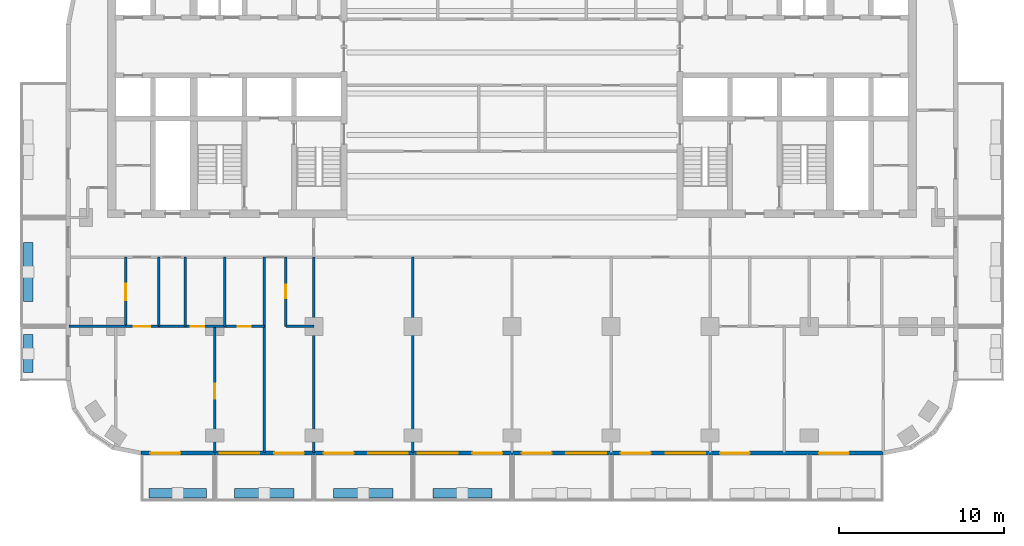
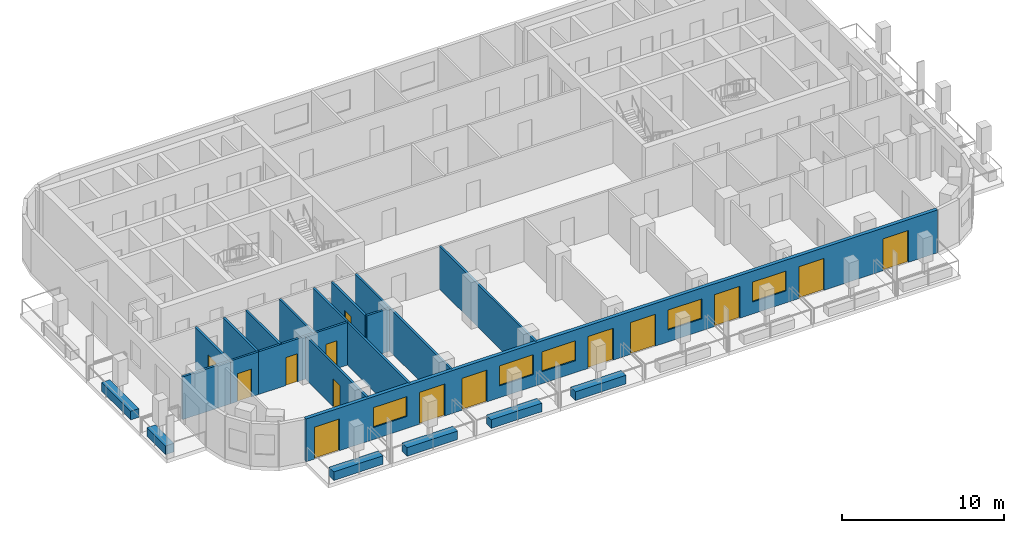
# One storey, part 2 of 11: 20 walls, 14 doors, 5 windows, 19 openings.
"""IFC4 building model written with IfcOpenShell, lengths in metres."""

from ifc_helpers import new_model, si_unit, direction, frame, frame_2d, origin, place, context, subcontext, project, spatial, rectangle, extrude, material, layer, layer_set, type_object, element, fill, save


model = new_model("IFC4")

# Units and contexts
model_context = context("Model", 3, precision=1e-05, world=origin(), true_north=direction((0.0, 1.0)))
body_context = subcontext(model_context, "Body", "Model", "MODEL_VIEW")
ifc_project = project(units=[si_unit("LENGTHUNIT", "METRE"), si_unit("AREAUNIT", "SQUARE_METRE"), si_unit("VOLUMEUNIT", "CUBIC_METRE"), si_unit("PLANEANGLEUNIT", "RADIAN"), si_unit("MASSUNIT", "GRAM", prefix="KILO")], contexts=[model_context])

# Site, building, storey
site_placement = place(None, origin())
site = spatial("IfcSite", under=ifc_project, at=site_placement, CompositionType="ELEMENT")
building_placement = place(site_placement, origin())
building = spatial("IfcBuilding", under=site, at=building_placement, Name="Torana Hotel and Residences", CompositionType="ELEMENT")
storey_placement = place(building_placement, frame((0.0, 0.0, 239.60009765625)))
storey = spatial("IfcBuildingStorey", under=building, at=storey_placement, Name="L63", CompositionType="ELEMENT", Elevation=239.60009765625)

# Wall, openings, doors, windows
ifc_material_1 = material(Name="Black aluminium composite panel", Category="aluminium")
ifc_layer_1 = layer(ifc_material_1, 0.00390625, Name="Cladding", Category="cladding")
ifc_material_2 = material(Name="Ventilated air cavity")
ifc_layer_2 = layer(ifc_material_2, 0.0400390625, Name="Ventilated cavity", Category="cavity")
ifc_material_3 = material(Name="Mineral wool insulation")
ifc_layer_3 = layer(ifc_material_3, 0.090087890625, Name="Insulation", Category="insulation")
ifc_material_4 = material(Name="Steel S280GD", Category="steel")
ifc_layer_4 = layer(ifc_material_4, 0.092041015625, Name="Steel stud frame", Category="structure")
ifc_material_5 = material(Name="Fire rated plasterboard")
ifc_layer_5 = layer(ifc_material_5, 0.011962890625, Name="Inner board", Category="finish")
ifc_layer_6 = layer(ifc_material_5, 0.011962890625, Name="Second board", Category="finish")
ifc_layer_set_1 = layer_set([ifc_layer_1, ifc_layer_2, ifc_layer_3, ifc_layer_4, ifc_layer_5, ifc_layer_6], Name="EW1 EXTERNAL WALL BLACK METAL CLAD 250")
wall_type_1 = type_object("IfcWallType", Name="EW1 EXTERNAL WALL BLACK METAL CLAD 250", PredefinedType="SOLIDWALL", material=ifc_layer_set_1)
wall_1_placement = place(storey_placement, frame((-22.475341796875, -29.27490234375, 0.0), z_axis=(0.0, 0.0, 1.0), x_axis=(1.0, 0.0, 0.0)))
wall_1 = element("IfcWall", 1, at=wall_1_placement, inside=storey, type_object=wall_type_1, Name="External wall L63 e0.14", PredefinedType="SOLIDWALL", context=body_context, shape_type="SweptSolid", body=[
    extrude(rectangle(XDim=44.95068359375, YDim=0.25, at=frame_2d((22.475341796875, 0.0))), origin(), (0.0, 0.0, 1.0), 3.219970703125),
])
opening_1_placement = place(wall_1_placement, frame((0.575439453125, 0.0, 0.0)))
opening_1 = element("IfcOpeningElement", 2, at=opening_1_placement, cuts=wall_1, Name="Opening L63-E01", PredefinedType="OPENING", context=body_context, shape_type="SweptSolid", body=[
    extrude(rectangle(XDim=1.800048828125, YDim=2.39990234375, at=frame_2d((0.89990234375, 1.199951171875))), frame((0.0, 0.135009765625, 0.0), z_axis=(0.0, -1.0, 0.0), x_axis=(1.0, 0.0, 0.0)), (0.0, 0.0, 1.0), 0.27001953125),
])
opening_2_placement = place(wall_1_placement, frame((4.775390625, 0.0, 0.89990234375)))
opening_2 = element("IfcOpeningElement", 3, at=opening_2_placement, cuts=wall_1, Name="Opening W3", PredefinedType="OPENING", context=body_context, shape_type="SweptSolid", body=[
    extrude(rectangle(XDim=2.39990234375, YDim=1.5, at=frame_2d((1.199951171875, 0.75))), frame((0.0, 0.135009765625, 0.0), z_axis=(0.0, -1.0, 0.0), x_axis=(1.0, 0.0, 0.0)), (0.0, 0.0, 1.0), 0.27001953125),
])
opening_3_placement = place(wall_1_placement, frame((8.075439453125, 0.0, 0.0)))
opening_3 = element("IfcOpeningElement", 4, at=opening_3_placement, cuts=wall_1, Name="Opening L63-E02", PredefinedType="OPENING", context=body_context, shape_type="SweptSolid", body=[
    extrude(rectangle(XDim=1.800048828125, YDim=2.39990234375, at=frame_2d((0.89990234375, 1.199951171875))), frame((0.0, 0.135009765625, 0.0), z_axis=(0.0, -1.0, 0.0), x_axis=(1.0, 0.0, 0.0)), (0.0, 0.0, 1.0), 0.27001953125),
])
opening_4_placement = place(wall_1_placement, frame((11.075439453125, 0.0, 0.0)))
opening_4 = element("IfcOpeningElement", 5, at=opening_4_placement, cuts=wall_1, Name="Opening L63-E03", PredefinedType="OPENING", context=body_context, shape_type="SweptSolid", body=[
    extrude(rectangle(XDim=1.800048828125, YDim=2.39990234375, at=frame_2d((0.89990234375, 1.199951171875))), frame((0.0, 0.135009765625, 0.0), z_axis=(0.0, -1.0, 0.0), x_axis=(1.0, 0.0, 0.0)), (0.0, 0.0, 1.0), 0.27001953125),
])
opening_5_placement = place(wall_1_placement, frame((13.775390625, 0.0, 0.89990234375)))
opening_5 = element("IfcOpeningElement", 6, at=opening_5_placement, cuts=wall_1, Name="Opening W3", PredefinedType="OPENING", context=body_context, shape_type="SweptSolid", body=[
    extrude(rectangle(XDim=2.39990234375, YDim=1.5, at=frame_2d((1.199951171875, 0.75))), frame((0.0, 0.135009765625, 0.0), z_axis=(0.0, -1.0, 0.0), x_axis=(1.0, 0.0, 0.0)), (0.0, 0.0, 1.0), 0.27001953125),
])
opening_6_placement = place(wall_1_placement, frame((16.775390625, 0.0, 0.89990234375)))
opening_6 = element("IfcOpeningElement", 7, at=opening_6_placement, cuts=wall_1, Name="Opening W3", PredefinedType="OPENING", context=body_context, shape_type="SweptSolid", body=[
    extrude(rectangle(XDim=2.39990234375, YDim=1.5, at=frame_2d((1.199951171875, 0.75))), frame((0.0, 0.135009765625, 0.0), z_axis=(0.0, -1.0, 0.0), x_axis=(1.0, 0.0, 0.0)), (0.0, 0.0, 1.0), 0.27001953125),
])
opening_7_placement = place(wall_1_placement, frame((20.075439453125, 0.0, 0.0)))
opening_7 = element("IfcOpeningElement", 8, at=opening_7_placement, cuts=wall_1, Name="Opening L63-E04", PredefinedType="OPENING", context=body_context, shape_type="SweptSolid", body=[
    extrude(rectangle(XDim=1.800048828125, YDim=2.39990234375, at=frame_2d((0.89990234375, 1.199951171875))), frame((0.0, 0.135009765625, 0.0), z_axis=(0.0, -1.0, 0.0), x_axis=(1.0, 0.0, 0.0)), (0.0, 0.0, 1.0), 0.27001953125),
])
opening_8_placement = place(wall_1_placement, frame((23.075439453125, 0.0, 0.0)))
opening_8 = element("IfcOpeningElement", 9, at=opening_8_placement, cuts=wall_1, Name="Opening L63-E05", PredefinedType="OPENING", context=body_context, shape_type="SweptSolid", body=[
    extrude(rectangle(XDim=1.800048828125, YDim=2.39990234375, at=frame_2d((0.89990234375, 1.199951171875))), frame((0.0, 0.135009765625, 0.0), z_axis=(0.0, -1.0, 0.0), x_axis=(1.0, 0.0, 0.0)), (0.0, 0.0, 1.0), 0.27001953125),
])
opening_9_placement = place(wall_1_placement, frame((25.775390625, 0.0, 0.89990234375)))
opening_9 = element("IfcOpeningElement", 10, at=opening_9_placement, cuts=wall_1, Name="Opening W3", PredefinedType="OPENING", context=body_context, shape_type="SweptSolid", body=[
    extrude(rectangle(XDim=2.39990234375, YDim=1.5, at=frame_2d((1.199951171875, 0.75))), frame((0.0, 0.135009765625, 0.0), z_axis=(0.0, -1.0, 0.0), x_axis=(1.0, 0.0, 0.0)), (0.0, 0.0, 1.0), 0.27001953125),
])
opening_10_placement = place(wall_1_placement, frame((29.075439453125, 0.0, 0.0)))
opening_10 = element("IfcOpeningElement", 11, at=opening_10_placement, cuts=wall_1, Name="Opening L63-E06", PredefinedType="OPENING", context=body_context, shape_type="SweptSolid", body=[
    extrude(rectangle(XDim=1.800048828125, YDim=2.39990234375, at=frame_2d((0.89990234375, 1.199951171875))), frame((0.0, 0.135009765625, 0.0), z_axis=(0.0, -1.0, 0.0), x_axis=(1.0, 0.0, 0.0)), (0.0, 0.0, 1.0), 0.27001953125),
])
opening_11_placement = place(wall_1_placement, frame((31.775390625, 0.0, 0.89990234375)))
opening_11 = element("IfcOpeningElement", 12, at=opening_11_placement, cuts=wall_1, Name="Opening W3", PredefinedType="OPENING", context=body_context, shape_type="SweptSolid", body=[
    extrude(rectangle(XDim=2.39990234375, YDim=1.5, at=frame_2d((1.199951171875, 0.75))), frame((0.0, 0.135009765625, 0.0), z_axis=(0.0, -1.0, 0.0), x_axis=(1.0, 0.0, 0.0)), (0.0, 0.0, 1.0), 0.27001953125),
])
opening_12_placement = place(wall_1_placement, frame((35.075439453125, 0.0, 0.0)))
opening_12 = element("IfcOpeningElement", 13, at=opening_12_placement, cuts=wall_1, Name="Opening L63-E07", PredefinedType="OPENING", context=body_context, shape_type="SweptSolid", body=[
    extrude(rectangle(XDim=1.800048828125, YDim=2.39990234375, at=frame_2d((0.89990234375, 1.199951171875))), frame((0.0, 0.135009765625, 0.0), z_axis=(0.0, -1.0, 0.0), x_axis=(1.0, 0.0, 0.0)), (0.0, 0.0, 1.0), 0.27001953125),
])
opening_13_placement = place(wall_1_placement, frame((41.075439453125, 0.0, 0.0)))
opening_13 = element("IfcOpeningElement", 14, at=opening_13_placement, cuts=wall_1, Name="Opening L63-E08", PredefinedType="OPENING", context=body_context, shape_type="SweptSolid", body=[
    extrude(rectangle(XDim=1.800048828125, YDim=2.39990234375, at=frame_2d((0.89990234375, 1.199951171875))), frame((0.0, 0.135009765625, 0.0), z_axis=(0.0, -1.0, 0.0), x_axis=(1.0, 0.0, 0.0)), (0.0, 0.0, 1.0), 0.27001953125),
])
ifc_material_6 = material(Name="Dark glass in black aluminium frame", Category="aluminium")
door_type_1 = type_object("IfcDoorType", Name="DB1 BALCONY DOOR 1800x2400", OperationType="DOUBLE_DOOR_SINGLE_SWING", PredefinedType="DOOR", material=ifc_material_6)
door_1_placement = place(opening_1_placement, origin())
door_1 = element("IfcDoor", 15, at=door_1_placement, inside=storey, type_object=door_type_1, Name="Balcony door L63", OperationType="DOUBLE_DOOR_SINGLE_SWING", OverallHeight=2.39990234375, OverallWidth=1.800048828125, PredefinedType="DOOR", context=body_context, shape_type="SweptSolid", body=[
    extrude(rectangle(XDim=1.800048828125, YDim=2.39990234375, at=frame_2d((0.89990234375, 1.199951171875))), frame((0.0, 0.02490234375, 0.0), z_axis=(0.0, -1.0, 0.0), x_axis=(1.0, 0.0, 0.0)), (0.0, 0.0, 1.0), 0.050048828125),
])
fill(opening_1, door_1)
door_2_placement = place(opening_3_placement, origin())
door_2 = element("IfcDoor", 16, at=door_2_placement, inside=storey, type_object=door_type_1, Name="Balcony door L63", OperationType="DOUBLE_DOOR_SINGLE_SWING", OverallHeight=2.39990234375, OverallWidth=1.800048828125, PredefinedType="DOOR", context=body_context, shape_type="SweptSolid", body=[
    extrude(rectangle(XDim=1.800048828125, YDim=2.39990234375, at=frame_2d((0.89990234375, 1.199951171875))), frame((0.0, 0.02490234375, 0.0), z_axis=(0.0, -1.0, 0.0), x_axis=(1.0, 0.0, 0.0)), (0.0, 0.0, 1.0), 0.050048828125),
])
fill(opening_3, door_2)
door_3_placement = place(opening_4_placement, origin())
door_3 = element("IfcDoor", 17, at=door_3_placement, inside=storey, type_object=door_type_1, Name="Balcony door L63", OperationType="DOUBLE_DOOR_SINGLE_SWING", OverallHeight=2.39990234375, OverallWidth=1.800048828125, PredefinedType="DOOR", context=body_context, shape_type="SweptSolid", body=[
    extrude(rectangle(XDim=1.800048828125, YDim=2.39990234375, at=frame_2d((0.89990234375, 1.199951171875))), frame((0.0, 0.02490234375, 0.0), z_axis=(0.0, -1.0, 0.0), x_axis=(1.0, 0.0, 0.0)), (0.0, 0.0, 1.0), 0.050048828125),
])
fill(opening_4, door_3)
door_4_placement = place(opening_7_placement, origin())
door_4 = element("IfcDoor", 18, at=door_4_placement, inside=storey, type_object=door_type_1, Name="Balcony door L63", OperationType="DOUBLE_DOOR_SINGLE_SWING", OverallHeight=2.39990234375, OverallWidth=1.800048828125, PredefinedType="DOOR", context=body_context, shape_type="SweptSolid", body=[
    extrude(rectangle(XDim=1.800048828125, YDim=2.39990234375, at=frame_2d((0.89990234375, 1.199951171875))), frame((0.0, 0.02490234375, 0.0), z_axis=(0.0, -1.0, 0.0), x_axis=(1.0, 0.0, 0.0)), (0.0, 0.0, 1.0), 0.050048828125),
])
fill(opening_7, door_4)
door_5_placement = place(opening_8_placement, origin())
door_5 = element("IfcDoor", 19, at=door_5_placement, inside=storey, type_object=door_type_1, Name="Balcony door L63", OperationType="DOUBLE_DOOR_SINGLE_SWING", OverallHeight=2.39990234375, OverallWidth=1.800048828125, PredefinedType="DOOR", context=body_context, shape_type="SweptSolid", body=[
    extrude(rectangle(XDim=1.800048828125, YDim=2.39990234375, at=frame_2d((0.89990234375, 1.199951171875))), frame((0.0, 0.02490234375, 0.0), z_axis=(0.0, -1.0, 0.0), x_axis=(1.0, 0.0, 0.0)), (0.0, 0.0, 1.0), 0.050048828125),
])
fill(opening_8, door_5)
door_6_placement = place(opening_10_placement, origin())
door_6 = element("IfcDoor", 20, at=door_6_placement, inside=storey, type_object=door_type_1, Name="Balcony door L63", OperationType="DOUBLE_DOOR_SINGLE_SWING", OverallHeight=2.39990234375, OverallWidth=1.800048828125, PredefinedType="DOOR", context=body_context, shape_type="SweptSolid", body=[
    extrude(rectangle(XDim=1.800048828125, YDim=2.39990234375, at=frame_2d((0.89990234375, 1.199951171875))), frame((0.0, 0.02490234375, 0.0), z_axis=(0.0, -1.0, 0.0), x_axis=(1.0, 0.0, 0.0)), (0.0, 0.0, 1.0), 0.050048828125),
])
fill(opening_10, door_6)
door_7_placement = place(opening_12_placement, origin())
door_7 = element("IfcDoor", 21, at=door_7_placement, inside=storey, type_object=door_type_1, Name="Balcony door L63", OperationType="DOUBLE_DOOR_SINGLE_SWING", OverallHeight=2.39990234375, OverallWidth=1.800048828125, PredefinedType="DOOR", context=body_context, shape_type="SweptSolid", body=[
    extrude(rectangle(XDim=1.800048828125, YDim=2.39990234375, at=frame_2d((0.89990234375, 1.199951171875))), frame((0.0, 0.02490234375, 0.0), z_axis=(0.0, -1.0, 0.0), x_axis=(1.0, 0.0, 0.0)), (0.0, 0.0, 1.0), 0.050048828125),
])
fill(opening_12, door_7)
door_8_placement = place(opening_13_placement, origin())
door_8 = element("IfcDoor", 22, at=door_8_placement, inside=storey, type_object=door_type_1, Name="Balcony door L63", OperationType="DOUBLE_DOOR_SINGLE_SWING", OverallHeight=2.39990234375, OverallWidth=1.800048828125, PredefinedType="DOOR", context=body_context, shape_type="SweptSolid", body=[
    extrude(rectangle(XDim=1.800048828125, YDim=2.39990234375, at=frame_2d((0.89990234375, 1.199951171875))), frame((0.0, 0.02490234375, 0.0), z_axis=(0.0, -1.0, 0.0), x_axis=(1.0, 0.0, 0.0)), (0.0, 0.0, 1.0), 0.050048828125),
])
fill(opening_13, door_8)
ifc_material_7 = material(Name="Dark glass in black aluminium frame", Category="aluminium")
window_type = type_object("IfcWindowType", Name="W3 RESIDENCE WINDOW 2400x1500", PartitioningType="SINGLE_PANEL", PredefinedType="WINDOW", material=ifc_material_7)
window_1_placement = place(opening_2_placement, origin())
window_1 = element("IfcWindow", 23, at=window_1_placement, inside=storey, type_object=window_type, Name="Window L63", OverallHeight=1.5, OverallWidth=2.39990234375, PartitioningType="SINGLE_PANEL", PredefinedType="WINDOW", context=body_context, shape_type="SweptSolid", body=[
    extrude(rectangle(XDim=2.39990234375, YDim=1.5, at=frame_2d((1.199951171875, 0.75))), frame((0.0, 0.030029296875, 0.0), z_axis=(0.0, -1.0, 0.0), x_axis=(1.0, 0.0, 0.0)), (0.0, 0.0, 1.0), 0.06005859375),
])
fill(opening_2, window_1)
window_2_placement = place(opening_5_placement, origin())
window_2 = element("IfcWindow", 24, at=window_2_placement, inside=storey, type_object=window_type, Name="Window L63", OverallHeight=1.5, OverallWidth=2.39990234375, PartitioningType="SINGLE_PANEL", PredefinedType="WINDOW", context=body_context, shape_type="SweptSolid", body=[
    extrude(rectangle(XDim=2.39990234375, YDim=1.5, at=frame_2d((1.199951171875, 0.75))), frame((0.0, 0.030029296875, 0.0), z_axis=(0.0, -1.0, 0.0), x_axis=(1.0, 0.0, 0.0)), (0.0, 0.0, 1.0), 0.06005859375),
])
fill(opening_5, window_2)
window_3_placement = place(opening_6_placement, origin())
window_3 = element("IfcWindow", 25, at=window_3_placement, inside=storey, type_object=window_type, Name="Window L63", OverallHeight=1.5, OverallWidth=2.39990234375, PartitioningType="SINGLE_PANEL", PredefinedType="WINDOW", context=body_context, shape_type="SweptSolid", body=[
    extrude(rectangle(XDim=2.39990234375, YDim=1.5, at=frame_2d((1.199951171875, 0.75))), frame((0.0, 0.030029296875, 0.0), z_axis=(0.0, -1.0, 0.0), x_axis=(1.0, 0.0, 0.0)), (0.0, 0.0, 1.0), 0.06005859375),
])
fill(opening_6, window_3)
window_4_placement = place(opening_9_placement, origin())
window_4 = element("IfcWindow", 26, at=window_4_placement, inside=storey, type_object=window_type, Name="Window L63", OverallHeight=1.5, OverallWidth=2.39990234375, PartitioningType="SINGLE_PANEL", PredefinedType="WINDOW", context=body_context, shape_type="SweptSolid", body=[
    extrude(rectangle(XDim=2.39990234375, YDim=1.5, at=frame_2d((1.199951171875, 0.75))), frame((0.0, 0.030029296875, 0.0), z_axis=(0.0, -1.0, 0.0), x_axis=(1.0, 0.0, 0.0)), (0.0, 0.0, 1.0), 0.06005859375),
])
fill(opening_9, window_4)
window_5_placement = place(opening_11_placement, origin())
window_5 = element("IfcWindow", 27, at=window_5_placement, inside=storey, type_object=window_type, Name="Window L63", OverallHeight=1.5, OverallWidth=2.39990234375, PartitioningType="SINGLE_PANEL", PredefinedType="WINDOW", context=body_context, shape_type="SweptSolid", body=[
    extrude(rectangle(XDim=2.39990234375, YDim=1.5, at=frame_2d((1.199951171875, 0.75))), frame((0.0, 0.030029296875, 0.0), z_axis=(0.0, -1.0, 0.0), x_axis=(1.0, 0.0, 0.0)), (0.0, 0.0, 1.0), 0.06005859375),
])
fill(opening_11, window_5)

# Wall
ifc_material_8 = material(Name="Gypsum plaster")
ifc_layer_7 = layer(ifc_material_8, 0.014892578125, Name="Plaster", Category="finish")
ifc_material_9 = material(Name="Concrete blockwork", Category="masonry")
ifc_layer_8 = layer(ifc_material_9, 0.1201171875, Name="Blockwork", Category="structure")
ifc_layer_9 = layer(ifc_material_8, 0.014892578125, Name="Plaster", Category="finish")
ifc_layer_set_2 = layer_set([ifc_layer_7, ifc_layer_8, ifc_layer_9], Name="FIRE PARTITION 150 BLOCKWORK")
wall_type_2 = type_object("IfcWallType", Name="FIRE PARTITION 150 BLOCKWORK", PredefinedType="PARTITIONING", material=ifc_layer_set_2)
wall_2_placement = place(storey_placement, frame((-21.39990234375, -21.60009765625, 0.0), z_axis=(0.0, 0.0, 1.0), x_axis=(0.0, 1.0, 0.0)))
element("IfcWall", 28, at=wall_2_placement, inside=storey, type_object=wall_type_2, Name="Partition L63", PredefinedType="PARTITIONING", context=body_context, shape_type="SweptSolid", body=[
    extrude(rectangle(XDim=4.2001953125, YDim=0.14990234375, at=frame_2d((2.10009765625, 0.0))), origin(), (0.0, 0.0, 1.0), 3.219970703125),
])

# Wall, opening, door
wall_3_placement = place(storey_placement, frame((-23.39990234375, -21.60009765625, 0.0), z_axis=(0.0, 0.0, 1.0), x_axis=(0.0, 1.0, 0.0)))
wall_3 = element("IfcWall", 29, at=wall_3_placement, inside=storey, type_object=wall_type_2, Name="Partition L63", PredefinedType="PARTITIONING", context=body_context, shape_type="SweptSolid", body=[
    extrude(rectangle(XDim=4.2001953125, YDim=0.14990234375, at=frame_2d((2.10009765625, 0.0))), origin(), (0.0, 0.0, 1.0), 3.219970703125),
])
opening_14_placement = place(wall_3_placement, frame((1.580078125, 0.0, 0.0)))
opening_14 = element("IfcOpeningElement", 30, at=opening_14_placement, cuts=wall_3, Name="Opening L63-58", PredefinedType="OPENING", context=body_context, shape_type="SweptSolid", body=[
    extrude(rectangle(XDim=1.0, YDim=2.10009765625, at=frame_2d((0.5, 1.050048828125))), frame((0.0, 0.0849609375, 0.0), z_axis=(0.0, -1.0, 0.0), x_axis=(1.0, 0.0, 0.0)), (0.0, 0.0, 1.0), 0.169921875),
])
ifc_material_10 = material(Name="Steel S235", Category="steel")
door_type_2 = type_object("IfcDoorType", Name="ENTRY FIRE DOOR D6 1000x2100", OperationType="SINGLE_SWING_LEFT", PredefinedType="DOOR", material=ifc_material_10)
door_9_placement = place(opening_14_placement, origin())
door_9 = element("IfcDoor", 31, at=door_9_placement, inside=storey, type_object=door_type_2, Name="Door L63", OperationType="SINGLE_SWING_RIGHT", OverallHeight=2.10009765625, OverallWidth=1.0, PredefinedType="DOOR", context=body_context, shape_type="SweptSolid", body=[
    extrude(rectangle(XDim=1.0, YDim=2.10009765625, at=frame_2d((0.5, 1.050048828125))), frame((0.0, 0.02490234375, 0.0), z_axis=(0.0, -1.0, 0.0), x_axis=(1.0, 0.0, 0.0)), (0.0, 0.0, 1.0), 0.050048828125),
])
fill(opening_14, door_9)

wall_4_placement = place(storey_placement, frame((-23.39990234375, -21.60009765625, 0.0), z_axis=(0.0, 0.0, 1.0), x_axis=(1.0, 0.0, 0.0)))
wall_4 = element("IfcWall", 32, at=wall_4_placement, inside=storey, type_object=wall_type_2, Name="Partition L63", PredefinedType="PARTITIONING", context=body_context, shape_type="SweptSolid", body=[
    extrude(rectangle(XDim=2.0, YDim=0.14990234375, at=frame_2d((1.0, 0.0))), origin(), (0.0, 0.0, 1.0), 3.219970703125),
])
opening_15_placement = place(wall_4_placement, frame((0.47998046875, 0.0, 0.0)))
opening_15 = element("IfcOpeningElement", 33, at=opening_15_placement, cuts=wall_4, Name="Opening L63-59", PredefinedType="OPENING", context=body_context, shape_type="SweptSolid", body=[
    extrude(rectangle(XDim=1.0, YDim=2.10009765625, at=frame_2d((0.5, 1.050048828125))), frame((0.0, 0.0849609375, 0.0), z_axis=(0.0, -1.0, 0.0), x_axis=(1.0, 0.0, 0.0)), (0.0, 0.0, 1.0), 0.169921875),
])
door_10_placement = place(opening_15_placement, frame((0.5, 0.0, 0.0), z_axis=(0.0, 0.0, 1.0), x_axis=(-1.0, 0.0, 0.0)))
door_10 = element("IfcDoor", 34, at=door_10_placement, inside=storey, type_object=door_type_2, Name="Door L63", OperationType="SINGLE_SWING_LEFT", OverallHeight=2.10009765625, OverallWidth=1.0, PredefinedType="DOOR", context=body_context, shape_type="SweptSolid", body=[
    extrude(rectangle(XDim=1.0, YDim=2.10009765625, at=frame_2d((0.0, 1.050048828125))), frame((0.0, -0.02490234375, 0.0), z_axis=(0.0, 1.0, 0.0), x_axis=(-1.0, 0.0, 0.0)), (0.0, 0.0, 1.0), 0.050048828125),
])
fill(opening_15, door_10)

# Walls
ifc_material_11 = material(Name="Gypsum plasterboard")
ifc_layer_10 = layer(ifc_material_11, 0.012451171875, Name="Plasterboard", Category="finish")
ifc_layer_11 = layer(ifc_material_11, 0.012451171875, Name="Plasterboard", Category="finish")
ifc_layer_12 = layer(ifc_material_4, 0.10009765625, Name="Steel studs with mineral wool", Category="insulation")
ifc_layer_13 = layer(ifc_material_11, 0.012451171875, Name="Plasterboard", Category="finish")
ifc_layer_14 = layer(ifc_material_11, 0.012451171875, Name="Plasterboard", Category="finish")
ifc_layer_set_3 = layer_set([ifc_layer_10, ifc_layer_11, ifc_layer_12, ifc_layer_13, ifc_layer_14], Name="PARTITION 150 PLASTERBOARD")
wall_type_3 = type_object("IfcWallType", Name="PARTITION 150 PLASTERBOARD", PredefinedType="PARTITIONING", material=ifc_layer_set_3)
for number, where, z_axis, x_axis, name in (
    (35, (-6.0, -29.219970703125, 0.0), (0.0, 0.0, 1.0), (0.0, 1.0, 0.0), "Partition L63"),
    (36, (-12.0, -29.219970703125, 0.0), (0.0, 0.0, 1.0), (0.0, 1.0, 0.0), "Partition L63"),
):
    element("IfcWall", number, at=place(storey_placement, frame(where, z_axis=z_axis, x_axis=x_axis)), inside=storey, type_object=wall_type_3, Name=name, PredefinedType="PARTITIONING", context=body_context, shape_type="SweptSolid", body=[
        extrude(rectangle(XDim=11.820068359375, YDim=0.14990234375, at=frame_2d((5.91015625, 0.0))), origin(), (0.0, 0.0, 1.0), 3.219970703125),
    ])

# Wall, opening, door
wall_5_placement = place(storey_placement, frame((-13.699951171875, -21.60009765625, 0.0), z_axis=(0.0, 0.0, 1.0), x_axis=(0.0, 1.0, 0.0)))
wall_5 = element("IfcWall", 37, at=wall_5_placement, inside=storey, type_object=wall_type_3, Name="Partition L63", PredefinedType="PARTITIONING", context=body_context, shape_type="SweptSolid", body=[
    extrude(rectangle(XDim=4.2001953125, YDim=0.14990234375, at=frame_2d((2.10009765625, 0.0))), origin(), (0.0, 0.0, 1.0), 3.219970703125),
])
opening_16_placement = place(wall_5_placement, frame((1.719970703125, 0.0, 0.0)))
opening_16 = element("IfcOpeningElement", 38, at=opening_16_placement, cuts=wall_5, Name="Opening L63-55", PredefinedType="OPENING", context=body_context, shape_type="SweptSolid", body=[
    extrude(rectangle(XDim=0.800048828125, YDim=2.10009765625, at=frame_2d((0.39990234375, 1.050048828125))), frame((0.0, 0.0849609375, 0.0), z_axis=(0.0, -1.0, 0.0), x_axis=(1.0, 0.0, 0.0)), (0.0, 0.0, 1.0), 0.169921875),
])
ifc_material_12 = material(Name="Timber door, painted", Category="wood")
door_type_3 = type_object("IfcDoorType", Name="BATH DOOR D13 800x2100", OperationType="SINGLE_SWING_LEFT", PredefinedType="DOOR", material=ifc_material_12)
door_11_placement = place(opening_16_placement, origin())
door_11 = element("IfcDoor", 39, at=door_11_placement, inside=storey, type_object=door_type_3, Name="Door L63", OperationType="SINGLE_SWING_RIGHT", OverallHeight=2.10009765625, OverallWidth=0.800048828125, PredefinedType="DOOR", context=body_context, shape_type="SweptSolid", body=[
    extrude(rectangle(XDim=0.800048828125, YDim=2.10009765625, at=frame_2d((0.39990234375, 1.050048828125))), frame((0.0, 0.02490234375, 0.0), z_axis=(0.0, -1.0, 0.0), x_axis=(1.0, 0.0, 0.0)), (0.0, 0.0, 1.0), 0.050048828125),
])
fill(opening_16, door_11)

# Walls
wall_6_placement = place(storey_placement, frame((-15.0, -29.219970703125, 0.0), z_axis=(0.0, 0.0, 1.0), x_axis=(0.0, 1.0, 0.0)))
element("IfcWall", 40, at=wall_6_placement, inside=storey, type_object=wall_type_3, Name="Partition L63", PredefinedType="PARTITIONING", context=body_context, shape_type="SweptSolid", body=[
    extrude(rectangle(XDim=11.820068359375, YDim=0.14990234375, at=frame_2d((5.91015625, 0.0))), origin(), (0.0, 0.0, 1.0), 3.219970703125),
])
wall_7_placement = place(storey_placement, frame((-17.39990234375, -21.60009765625, 0.0), z_axis=(0.0, 0.0, 1.0), x_axis=(0.0, 1.0, 0.0)))
element("IfcWall", 41, at=wall_7_placement, inside=storey, type_object=wall_type_3, Name="Partition L63", PredefinedType="PARTITIONING", context=body_context, shape_type="SweptSolid", body=[
    extrude(rectangle(XDim=4.2001953125, YDim=0.14990234375, at=frame_2d((2.10009765625, 0.0))), origin(), (0.0, 0.0, 1.0), 3.219970703125),
])

# Wall, opening, door
wall_8_placement = place(storey_placement, frame((-18.0, -29.219970703125, 0.0), z_axis=(0.0, 0.0, 1.0), x_axis=(0.0, 1.0, 0.0)))
wall_8 = element("IfcWall", 42, at=wall_8_placement, inside=storey, type_object=wall_type_3, Name="Partition L63", PredefinedType="PARTITIONING", context=body_context, shape_type="SweptSolid", body=[
    extrude(rectangle(XDim=7.619873046875, YDim=0.14990234375, at=frame_2d((3.81005859375, 0.0))), origin(), (0.0, 0.0, 1.0), 3.219970703125),
])
opening_17_placement = place(wall_8_placement, frame((3.25, 0.0, 0.0)))
opening_17 = element("IfcOpeningElement", 43, at=opening_17_placement, cuts=wall_8, Name="Opening L63-60", PredefinedType="OPENING", context=body_context, shape_type="SweptSolid", body=[
    extrude(rectangle(XDim=0.89990234375, YDim=2.10009765625, at=frame_2d((0.449951171875, 1.050048828125))), frame((0.0, 0.0849609375, 0.0), z_axis=(0.0, -1.0, 0.0), x_axis=(1.0, 0.0, 0.0)), (0.0, 0.0, 1.0), 0.169921875),
])
ifc_material_13 = material(Name="Timber door, oiled ash", Category="wood")
door_type_4 = type_object("IfcDoorType", Name="ROOM DOOR D7 900x2100", OperationType="SINGLE_SWING_LEFT", PredefinedType="DOOR", material=ifc_material_13)
door_12_placement = place(opening_17_placement, origin())
door_12 = element("IfcDoor", 44, at=door_12_placement, inside=storey, type_object=door_type_4, Name="Door L63", OperationType="SINGLE_SWING_RIGHT", OverallHeight=2.10009765625, OverallWidth=0.89990234375, PredefinedType="DOOR", context=body_context, shape_type="SweptSolid", body=[
    extrude(rectangle(XDim=0.89990234375, YDim=2.10009765625, at=frame_2d((0.449951171875, 1.050048828125))), frame((0.0, 0.02490234375, 0.0), z_axis=(0.0, -1.0, 0.0), x_axis=(1.0, 0.0, 0.0)), (0.0, 0.0, 1.0), 0.050048828125),
])
fill(opening_17, door_12)

# Walls
wall_9_placement = place(storey_placement, frame((-19.800048828125, -21.60009765625, 0.0), z_axis=(0.0, 0.0, 1.0), x_axis=(0.0, 1.0, 0.0)))
element("IfcWall", 45, at=wall_9_placement, inside=storey, type_object=wall_type_3, Name="Partition L63", PredefinedType="PARTITIONING", context=body_context, shape_type="SweptSolid", body=[
    extrude(rectangle(XDim=4.2001953125, YDim=0.14990234375, at=frame_2d((2.10009765625, 0.0))), origin(), (0.0, 0.0, 1.0), 3.219970703125),
])
wall_10_placement = place(storey_placement, frame((-26.820068359375, -21.60009765625, 0.0), z_axis=(0.0, 0.0, 1.0), x_axis=(1.0, 0.0, 0.0)))
element("IfcWall", 46, at=wall_10_placement, inside=storey, type_object=wall_type_3, Name="Partition L63", PredefinedType="PARTITIONING", context=body_context, shape_type="SweptSolid", body=[
    extrude(rectangle(XDim=3.420166015625, YDim=0.14990234375, at=frame_2d((1.7099609375, 0.0))), origin(), (0.0, 0.0, 1.0), 3.219970703125),
])

# Wall, openings, doors
wall_11_placement = place(storey_placement, frame((-21.39990234375, -21.60009765625, 0.0), z_axis=(0.0, 0.0, 1.0), x_axis=(1.0, 0.0, 0.0)))
wall_11 = element("IfcWall", 47, at=wall_11_placement, inside=storey, type_object=wall_type_3, Name="Partition L63", PredefinedType="PARTITIONING", context=body_context, shape_type="SweptSolid", body=[
    extrude(rectangle(XDim=6.39990234375, YDim=0.14990234375, at=frame_2d((3.199951171875, 0.0))), origin(), (0.0, 0.0, 1.0), 3.219970703125),
])
opening_18_placement = place(wall_11_placement, frame((4.780029296875, 0.0, 0.0)))
opening_18 = element("IfcOpeningElement", 48, at=opening_18_placement, cuts=wall_11, Name="Opening L63-56", PredefinedType="OPENING", context=body_context, shape_type="SweptSolid", body=[
    extrude(rectangle(XDim=0.800048828125, YDim=2.10009765625, at=frame_2d((0.39990234375, 1.050048828125))), frame((0.0, 0.0849609375, 0.0), z_axis=(0.0, -1.0, 0.0), x_axis=(1.0, 0.0, 0.0)), (0.0, 0.0, 1.0), 0.169921875),
])
opening_19_placement = place(wall_11_placement, frame((1.949951171875, 0.0, 0.0)))
opening_19 = element("IfcOpeningElement", 49, at=opening_19_placement, cuts=wall_11, Name="Opening L63-57", PredefinedType="OPENING", context=body_context, shape_type="SweptSolid", body=[
    extrude(rectangle(XDim=0.800048828125, YDim=2.10009765625, at=frame_2d((0.39990234375, 1.050048828125))), frame((0.0, 0.0849609375, 0.0), z_axis=(0.0, -1.0, 0.0), x_axis=(1.0, 0.0, 0.0)), (0.0, 0.0, 1.0), 0.169921875),
])
door_13_placement = place(opening_18_placement, origin())
door_13 = element("IfcDoor", 50, at=door_13_placement, inside=storey, type_object=door_type_3, Name="Door L63", OperationType="SINGLE_SWING_RIGHT", OverallHeight=2.10009765625, OverallWidth=0.800048828125, PredefinedType="DOOR", context=body_context, shape_type="SweptSolid", body=[
    extrude(rectangle(XDim=0.800048828125, YDim=2.10009765625, at=frame_2d((0.39990234375, 1.050048828125))), frame((0.0, 0.02490234375, 0.0), z_axis=(0.0, -1.0, 0.0), x_axis=(1.0, 0.0, 0.0)), (0.0, 0.0, 1.0), 0.050048828125),
])
fill(opening_18, door_13)
door_14_placement = place(opening_19_placement, origin())
door_14 = element("IfcDoor", 51, at=door_14_placement, inside=storey, type_object=door_type_3, Name="Door L63", OperationType="SINGLE_SWING_LEFT", OverallHeight=2.10009765625, OverallWidth=0.800048828125, PredefinedType="DOOR", context=body_context, shape_type="SweptSolid", body=[
    extrude(rectangle(XDim=0.800048828125, YDim=2.10009765625, at=frame_2d((0.39990234375, 1.050048828125))), frame((0.0, 0.02490234375, 0.0), z_axis=(0.0, -1.0, 0.0), x_axis=(1.0, 0.0, 0.0)), (0.0, 0.0, 1.0), 0.050048828125),
])
fill(opening_19, door_14)

# Walls
wall_12_placement = place(storey_placement, frame((-13.699951171875, -21.60009765625, 0.0), z_axis=(0.0, 0.0, 1.0), x_axis=(1.0, 0.0, 0.0)))
element("IfcWall", 52, at=wall_12_placement, inside=storey, type_object=wall_type_3, Name="Partition L63", PredefinedType="PARTITIONING", context=body_context, shape_type="SweptSolid", body=[
    extrude(rectangle(XDim=1.699951171875, YDim=0.14990234375, at=frame_2d((0.85009765625, 0.0))), origin(), (0.0, 0.0, 1.0), 3.219970703125),
])
ifc_material_14 = material(Name="Concrete C40/50 precast", Category="concrete")
ifc_layer_15 = layer(ifc_material_14, 0.10009765625, Name="Planter shell", Category="structure")
ifc_material_15 = material(Name="Root resistant membrane")
ifc_layer_16 = layer(ifc_material_15, 0.00390625, Name="Waterproofing membrane", Category="membrane")
ifc_material_16 = material(Name="Drainage board with filter fleece")
ifc_layer_17 = layer(ifc_material_16, 0.02001953125, Name="Drainage board", Category="drainage")
ifc_material_17 = material(Name="Growing medium")
ifc_layer_18 = layer(ifc_material_17, 0.47607421875, Name="Planting substrate", Category="soil")
ifc_layer_set_4 = layer_set([ifc_layer_15, ifc_layer_16, ifc_layer_17, ifc_layer_18], Name="PL1 BALCONY PLANTER 600")
wall_type_4 = type_object("IfcWallType", Name="PL1 BALCONY PLANTER 600", PredefinedType="USERDEFINED", material=ifc_layer_set_4)
wall_13_placement = place(storey_placement, frame((-18.5, -31.699951171875, 0.0), z_axis=(0.0, 0.0, 1.0), x_axis=(-1.0, 0.0, 0.0)))
element("IfcWall", 53, at=wall_13_placement, inside=storey, type_object=wall_type_4, Name="Planter 01", ObjectType="PLANTER", PredefinedType="USERDEFINED", context=body_context, shape_type="SweptSolid", body=[
    extrude(rectangle(XDim=3.5, YDim=0.60009765625, at=frame_2d((1.75, 0.0))), origin(), (0.0, 0.0, 1.0), 0.64990234375),
])
for number, where, z_axis, x_axis, name in (
    (54, (-13.199951171875, -31.699951171875, 0.0), (0.0, 0.0, 1.0), (-1.0, 0.0, 0.0), "Planter 02"),
    (55, (-7.199951171875, -31.699951171875, 0.0), (0.0, 0.0, 1.0), (-1.0, 0.0, 0.0), "Planter 03"),
    (56, (-1.199951171875, -31.699951171875, 0.0), (0.0, 0.0, 1.0), (-1.0, 0.0, 0.0), "Planter 04"),
):
    element("IfcWall", number, at=place(storey_placement, frame(where, z_axis=z_axis, x_axis=x_axis)), inside=storey, type_object=wall_type_4, Name=name, ObjectType="PLANTER", PredefinedType="USERDEFINED", context=body_context, shape_type="SweptSolid", body=[
        extrude(rectangle(XDim=3.60009765625, YDim=0.60009765625, at=frame_2d((1.800048828125, 0.0))), origin(), (0.0, 0.0, 1.0), 0.64990234375),
    ])
wall_14_placement = place(storey_placement, frame((-29.300048828125, -24.39990234375, 0.0), z_axis=(0.0, 0.0, 1.0), x_axis=(0.0, 1.0, 0.0)))
element("IfcWall", 57, at=wall_14_placement, inside=storey, type_object=wall_type_4, Name="Planter 09", ObjectType="PLANTER", PredefinedType="USERDEFINED", context=body_context, shape_type="SweptSolid", body=[
    extrude(rectangle(XDim=2.2998046875, YDim=0.60009765625, at=frame_2d((1.14990234375, 0.0))), origin(), (0.0, 0.0, 1.0), 0.64990234375),
])
wall_15_placement = place(storey_placement, frame((-29.300048828125, -20.10009765625, 0.0), z_axis=(0.0, 0.0, 1.0), x_axis=(0.0, 1.0, 0.0)))
element("IfcWall", 58, at=wall_15_placement, inside=storey, type_object=wall_type_4, Name="Planter 10", ObjectType="PLANTER", PredefinedType="USERDEFINED", context=body_context, shape_type="SweptSolid", body=[
    extrude(rectangle(XDim=3.60009765625, YDim=0.60009765625, at=frame_2d((1.800048828125, 0.0))), origin(), (0.0, 0.0, 1.0), 0.64990234375),
])

save(model, "model.ifc")
